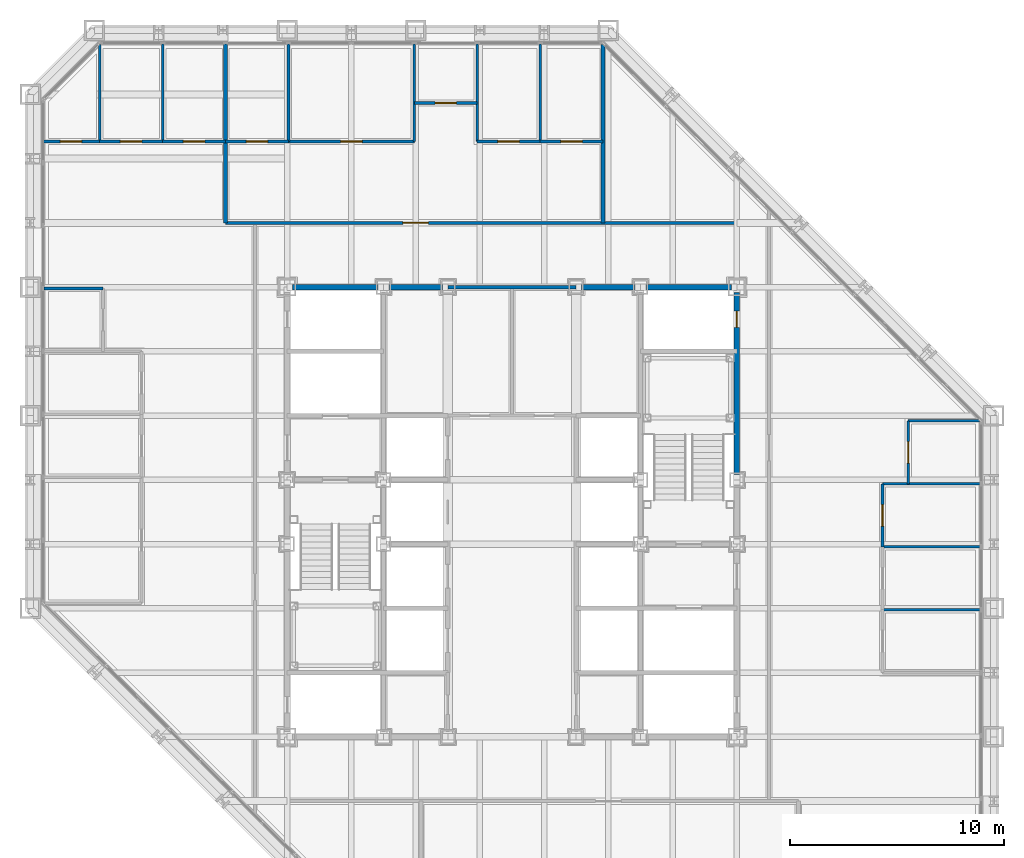
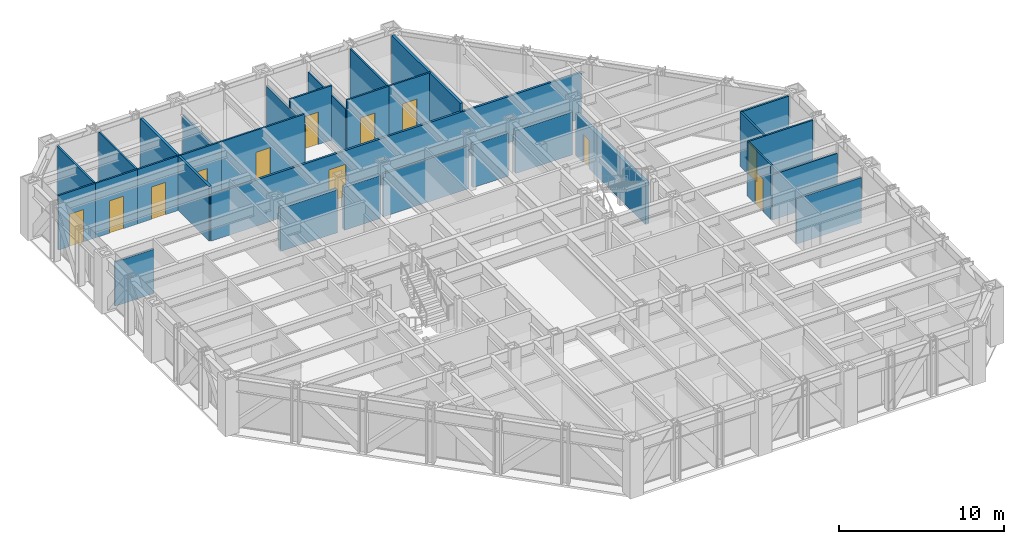
# One storey, part 12 of 16: 30 walls, 12 doors, 12 openings.
"""IFC4 building model written with IfcOpenShell, lengths in metres."""

from ifc_helpers import new_model, si_unit, direction, frame, frame_2d, origin, place, context, subcontext, project, spatial, rectangle, extrude, material, layer, layer_set, type_object, element, fill, save


model = new_model("IFC4")

# Units and contexts
model_context = context("Model", 3, precision=1e-05, world=origin(), true_north=direction((0.0, 1.0)))
body_context = subcontext(model_context, "Body", "Model", "MODEL_VIEW")
ifc_project = project(units=[si_unit("LENGTHUNIT", "METRE"), si_unit("AREAUNIT", "SQUARE_METRE"), si_unit("VOLUMEUNIT", "CUBIC_METRE"), si_unit("PLANEANGLEUNIT", "RADIAN"), si_unit("MASSUNIT", "GRAM", prefix="KILO")], contexts=[model_context])

# Site, building, storey
site_placement = place(None, origin())
site = spatial("IfcSite", under=ifc_project, at=site_placement, CompositionType="ELEMENT")
building_placement = place(site_placement, origin())
building = spatial("IfcBuilding", under=site, at=building_placement, Name="Chuquiago Exchange Tower", CompositionType="ELEMENT")
storey_placement = place(building_placement, frame((0.0, 0.0, 111.0)))
storey = spatial("IfcBuildingStorey", under=building, at=storey_placement, Name="L23", CompositionType="ELEMENT", Elevation=111.0)

# Walls
ifc_material_1 = material(Name="Concrete masonry, fully grouted", Category="masonry")
ifc_layer_1 = layer(ifc_material_1, 0.25)
ifc_layer_set_1 = layer_set([ifc_layer_1], Name="W1 core wall 250")
wall_type_1 = type_object("IfcWallType", Name="W1 core wall 250", PredefinedType="SOLIDWALL", material=ifc_layer_set_1)
wall_1_placement = place(storey_placement, frame((12.25, 33.0, 0.0), z_axis=(0.0, 0.0, 1.0), x_axis=(1.0, 0.0, 0.0)))
element("IfcWall", 1, at=wall_1_placement, inside=storey, type_object=wall_type_1, Name="CW-L23-11-0", PredefinedType="SOLIDWALL", context=body_context, shape_type="SweptSolid", body=[
    extrude(rectangle(XDim=4.0, YDim=0.25, at=frame_2d((2.0, 0.0))), origin(), (0.0, 0.0, 1.0), 3.181396484375),
])
for number, where, z_axis, x_axis, name in (
    (2, (16.75, 33.0, 0.0), (0.0, 0.0, 1.0), (1.0, 0.0, 0.0), "CW-L23-11-1"),
    (3, (25.75, 33.0, 0.0), (0.0, 0.0, 1.0), (1.0, 0.0, 0.0), "CW-L23-12-0"),
):
    element("IfcWall", number, at=place(storey_placement, frame(where, z_axis=z_axis, x_axis=x_axis)), inside=storey, type_object=wall_type_1, Name=name, PredefinedType="SOLIDWALL", context=body_context, shape_type="SweptSolid", body=[
        extrude(rectangle(XDim=2.5, YDim=0.25, at=frame_2d((1.25, 0.0))), origin(), (0.0, 0.0, 1.0), 3.181396484375),
    ])
wall_2_placement = place(storey_placement, frame((28.75, 33.0, 0.0), z_axis=(0.0, 0.0, 1.0), x_axis=(1.0, 0.0, 0.0)))
element("IfcWall", 4, at=wall_2_placement, inside=storey, type_object=wall_type_1, Name="CW-L23-12-1", PredefinedType="SOLIDWALL", context=body_context, shape_type="SweptSolid", body=[
    extrude(rectangle(XDim=4.0, YDim=0.25, at=frame_2d((2.0, 0.0))), origin(), (0.0, 0.0, 1.0), 3.181396484375),
])

# Wall, opening, door
wall_3_placement = place(storey_placement, frame((33.0, 24.25, 0.0), z_axis=(0.0, 0.0, 1.0), x_axis=(0.0, 1.0, 0.0)))
wall_3 = element("IfcWall", 5, at=wall_3_placement, inside=storey, type_object=wall_type_1, Name="CW-L23-25-2", PredefinedType="SOLIDWALL", context=body_context, shape_type="SweptSolid", body=[
    extrude(rectangle(XDim=8.5, YDim=0.25, at=frame_2d((4.25, 0.0))), origin(), (0.0, 0.0, 1.0), 3.11279296875),
])
opening_1_placement = place(wall_3_placement, frame((6.875, 0.0, 0.0)))
opening_1 = element("IfcOpeningElement", 6, at=opening_1_placement, cuts=wall_3, Name="Opening L23-010", PredefinedType="OPENING", context=body_context, shape_type="SweptSolid", body=[
    extrude(rectangle(XDim=0.75, YDim=2.10009765625, at=frame_2d((0.375, 1.050048828125))), frame((0.0, 0.135009765625, 0.0), z_axis=(0.0, -1.0, 0.0), x_axis=(1.0, 0.0, 0.0)), (0.0, 0.0, 1.0), 0.27001953125),
])
ifc_material_2 = material(Name="Steel door, painted", Category="steel")
door_type_1 = type_object("IfcDoorType", Name="D6 riser access door 750x2100", OperationType="SINGLE_SWING_LEFT", PredefinedType="DOOR", material=ifc_material_2)
door_1_placement = place(opening_1_placement, origin())
door_1 = element("IfcDoor", 7, at=door_1_placement, inside=storey, type_object=door_type_1, Name="Riser RE2 door", OperationType="SINGLE_SWING_RIGHT", OverallHeight=2.10009765625, OverallWidth=0.75, PredefinedType="DOOR", context=body_context, shape_type="SweptSolid", body=[
    extrude(rectangle(XDim=0.75, YDim=2.10009765625, at=frame_2d((0.375, 1.050048828125))), frame((0.0, 0.02490234375, 0.0), z_axis=(0.0, -1.0, 0.0), x_axis=(1.0, 0.0, 0.0)), (0.0, 0.0, 1.0), 0.050048828125),
])
fill(opening_1, door_1)

ifc_material_3 = material(Name="Gypsum board on steel studs, acoustic insulation", Category="steel")
ifc_layer_2 = layer(ifc_material_3, 0.14990234375)
ifc_layer_set_2 = layer_set([ifc_layer_2], Name="W11 corridor wall 150")
wall_type_2 = type_object("IfcWallType", Name="W11 corridor wall 150", PredefinedType="PARTITIONING", material=ifc_layer_set_2)
wall_4_placement = place(storey_placement, frame((9.124267578125, 36.0, 0.0), z_axis=(0.0, 0.0, 1.0), x_axis=(1.0, 0.0, 0.0)))
wall_4 = element("IfcWall", 8, at=wall_4_placement, inside=storey, type_object=wall_type_2, Name="PW-L23-CN", PredefinedType="PARTITIONING", context=body_context, shape_type="SweptSolid", body=[
    extrude(rectangle(XDim=25.990234375, YDim=0.14990234375, at=frame_2d((12.9951171875, 0.0))), origin(), (0.0, 0.0, 1.0), 3.427734375),
])
opening_2_placement = place(wall_4_placement, frame((8.275634765625, 0.0, 0.0)))
opening_2 = element("IfcOpeningElement", 9, at=opening_2_placement, cuts=wall_4, Name="Opening L23-043", PredefinedType="OPENING", context=body_context, shape_type="SweptSolid", body=[
    extrude(rectangle(XDim=1.199951171875, YDim=2.39990234375, at=frame_2d((0.60009765625, 1.199951171875))), frame((0.0, 0.0849609375, 0.0), z_axis=(0.0, -1.0, 0.0), x_axis=(1.0, 0.0, 0.0)), (0.0, 0.0, 1.0), 0.169921875),
])
ifc_material_4 = material(Name="Timber door, laminate faced", Category="wood")
door_type_2 = type_object("IfcDoorType", Name="D13 suite entrance door 1200x2400", OperationType="SINGLE_SWING_LEFT", PredefinedType="DOOR", material=ifc_material_4)
door_2_placement = place(opening_2_placement, origin())
door_2 = element("IfcDoor", 10, at=door_2_placement, inside=storey, type_object=door_type_2, Name="North suite entrance door", OperationType="SINGLE_SWING_LEFT", OverallHeight=2.39990234375, OverallWidth=1.199951171875, PredefinedType="DOOR", context=body_context, shape_type="SweptSolid", body=[
    extrude(rectangle(XDim=1.199951171875, YDim=2.39990234375, at=frame_2d((0.60009765625, 1.199951171875))), frame((0.0, 0.02490234375, 0.0), z_axis=(0.0, -1.0, 0.0), x_axis=(1.0, 0.0, 0.0)), (0.0, 0.0, 1.0), 0.050048828125),
])
fill(opening_2, door_2)

# Walls
ifc_material_5 = material(Name="Gypsum board on twin steel studs, acoustic insulation", Category="steel")
ifc_layer_3 = layer(ifc_material_5, 0.175048828125)
ifc_layer_set_3 = layer_set([ifc_layer_3], Name="W12 tenant demising wall 175")
wall_type_3 = type_object("IfcWallType", Name="W12 tenant demising wall 175", PredefinedType="PARTITIONING", material=ifc_layer_set_3)
wall_5_placement = place(storey_placement, frame((9.124267578125, 44.347412109375, 0.0), z_axis=(0.0, 0.0, 1.0), x_axis=(0.0, -1.0, 0.0)))
element("IfcWall", 11, at=wall_5_placement, inside=storey, type_object=wall_type_3, Name="PW-L23-DN00912", PredefinedType="PARTITIONING", context=body_context, shape_type="SweptSolid", body=[
    extrude(rectangle(XDim=8.347412109375, YDim=0.175048828125, at=frame_2d((4.173828125, 0.0))), origin(), (0.0, 0.0, 1.0), 4.0400390625),
])
wall_6_placement = place(storey_placement, frame((26.75146484375, 44.333984375, 0.0), z_axis=(0.0, 0.0, 1.0), x_axis=(0.0, -1.0, 0.0)))
element("IfcWall", 12, at=wall_6_placement, inside=storey, type_object=wall_type_3, Name="PW-L23-DN02675", PredefinedType="PARTITIONING", context=body_context, shape_type="SweptSolid", body=[
    extrude(rectangle(XDim=8.333984375, YDim=0.175048828125, at=frame_2d((4.1669921875, 0.0))), origin(), (0.0, 0.0, 1.0), 4.0400390625),
])
ifc_material_6 = material(Name="Gypsum board on steel studs", Category="steel")
ifc_layer_4 = layer(ifc_material_6, 0.14990234375)
ifc_layer_set_4 = layer_set([ifc_layer_4], Name="W3 core partition 150")
wall_type_4 = type_object("IfcWallType", Name="W3 core partition 150", PredefinedType="PARTITIONING", material=ifc_layer_set_4)
wall_7_placement = place(storey_placement, frame((19.5, 33.0, 0.0), z_axis=(0.0, 0.0, 1.0), x_axis=(1.0, 0.0, 0.0)))
element("IfcWall", 13, at=wall_7_placement, inside=storey, type_object=wall_type_4, Name="CW-L23-TB", PredefinedType="PARTITIONING", context=body_context, shape_type="SweptSolid", body=[
    extrude(rectangle(XDim=6.0, YDim=0.14990234375, at=frame_2d((3.0, 0.0))), origin(), (0.0, 0.0, 1.0), 3.181396484375),
])
ifc_material_7 = material(Name="Gypsum board on steel studs", Category="steel")
ifc_layer_5 = layer(ifc_material_7, 0.1201171875)
ifc_layer_set_5 = layer_set([ifc_layer_5], Name="W4 partition 120")
wall_type_5 = type_object("IfcWallType", Name="W4 partition 120", PredefinedType="PARTITIONING", material=ifc_layer_set_5)
for number, where, z_axis, x_axis, name in (
    (14, (44.347412109375, 17.93798828125, 0.0), (0.0, 0.0, 1.0), (-1.0, 0.0, 0.0), "PW-L23-E01794"),
    (15, (44.347412109375, 20.875732421875, 0.0), (0.0, 0.0, 1.0), (-1.0, 0.0, 0.0), "PW-L23-E02088"),
):
    element("IfcWall", number, at=place(storey_placement, frame(where, z_axis=z_axis, x_axis=x_axis)), inside=storey, type_object=wall_type_5, Name=name, PredefinedType="PARTITIONING", context=body_context, shape_type="SweptSolid", body=[
        extrude(rectangle(XDim=4.54736328125, YDim=0.1201171875, at=frame_2d((2.273681640625, 0.0))), origin(), (0.0, 0.0, 1.0), 3.356689453125),
    ])
wall_8_placement = place(storey_placement, frame((44.347412109375, 23.813720703125, 0.0), z_axis=(0.0, 0.0, 1.0), x_axis=(-1.0, 0.0, 0.0)))
element("IfcWall", 16, at=wall_8_placement, inside=storey, type_object=wall_type_5, Name="PW-L23-E02381", PredefinedType="PARTITIONING", context=body_context, shape_type="SweptSolid", body=[
    extrude(rectangle(XDim=4.54736328125, YDim=0.1201171875, at=frame_2d((2.273681640625, 0.0))), origin(), (0.0, 0.0, 1.0), 4.0400390625),
])
wall_9_placement = place(storey_placement, frame((44.333984375, 26.75146484375, 0.0), z_axis=(0.0, 0.0, 1.0), x_axis=(-1.0, 0.0, 0.0)))
element("IfcWall", 17, at=wall_9_placement, inside=storey, type_object=wall_type_5, Name="PW-L23-E02675", PredefinedType="PARTITIONING", context=body_context, shape_type="SweptSolid", body=[
    extrude(rectangle(XDim=3.333984375, YDim=0.1201171875, at=frame_2d((1.6669921875, 0.0))), origin(), (0.0, 0.0, 1.0), 4.0400390625),
])

# Wall, opening, door
wall_10_placement = place(storey_placement, frame((39.800048828125, 20.875732421875, 0.0), z_axis=(0.0, 0.0, 1.0), x_axis=(0.0, 1.0, 0.0)))
wall_10 = element("IfcWall", 18, at=wall_10_placement, inside=storey, type_object=wall_type_5, Name="PW-L23-EF02088", PredefinedType="PARTITIONING", context=body_context, shape_type="SweptSolid", body=[
    extrude(rectangle(XDim=2.93798828125, YDim=0.1201171875, at=frame_2d((1.468994140625, 0.0))), origin(), (0.0, 0.0, 1.0), 4.0400390625),
])
opening_3_placement = place(wall_10_placement, frame((0.968994140625, 0.0, 0.0)))
opening_3 = element("IfcOpeningElement", 19, at=opening_3_placement, cuts=wall_10, Name="Opening L23-028", PredefinedType="OPENING", context=body_context, shape_type="SweptSolid", body=[
    extrude(rectangle(XDim=1.0, YDim=2.39990234375, at=frame_2d((0.5, 1.199951171875))), frame((0.0, 0.070068359375, 0.0), z_axis=(0.0, -1.0, 0.0), x_axis=(1.0, 0.0, 0.0)), (0.0, 0.0, 1.0), 0.14013671875),
])
ifc_material_8 = material(Name="Timber frame door, full height glazed panel", Category="wood")
door_type_3 = type_object("IfcDoorType", Name="D14 glazed meeting room door 1000x2400", OperationType="SINGLE_SWING_LEFT", PredefinedType="DOOR", material=ifc_material_8)
door_3_placement = place(opening_3_placement, frame((1.0, 0.0, 0.0), z_axis=(0.0, 0.0, 1.0), x_axis=(-1.0, 0.0, 0.0)))
door_3 = element("IfcDoor", 20, at=door_3_placement, inside=storey, type_object=door_type_3, Name="Meeting room door", OperationType="SINGLE_SWING_LEFT", OverallHeight=2.39990234375, OverallWidth=1.0, PredefinedType="DOOR", context=body_context, shape_type="SweptSolid", body=[
    extrude(rectangle(XDim=1.0, YDim=2.39990234375, at=frame_2d((0.5, 1.199951171875))), frame((0.0, 0.02490234375, 0.0), z_axis=(0.0, -1.0, 0.0), x_axis=(1.0, 0.0, 0.0)), (0.0, 0.0, 1.0), 0.050048828125),
])
fill(opening_3, door_3)

wall_11_placement = place(storey_placement, frame((41.0, 23.813720703125, 0.0), z_axis=(0.0, 0.0, 1.0), x_axis=(0.0, 1.0, 0.0)))
wall_11 = element("IfcWall", 21, at=wall_11_placement, inside=storey, type_object=wall_type_5, Name="PW-L23-EF02381", PredefinedType="PARTITIONING", context=body_context, shape_type="SweptSolid", body=[
    extrude(rectangle(XDim=2.937744140625, YDim=0.1201171875, at=frame_2d((1.46875, 0.0))), origin(), (0.0, 0.0, 1.0), 4.0400390625),
])
opening_4_placement = place(wall_11_placement, frame((0.968994140625, 0.0, 0.0)))
opening_4 = element("IfcOpeningElement", 22, at=opening_4_placement, cuts=wall_11, Name="Opening L23-029", PredefinedType="OPENING", context=body_context, shape_type="SweptSolid", body=[
    extrude(rectangle(XDim=1.0, YDim=2.39990234375, at=frame_2d((0.5, 1.199951171875))), frame((0.0, 0.070068359375, 0.0), z_axis=(0.0, -1.0, 0.0), x_axis=(1.0, 0.0, 0.0)), (0.0, 0.0, 1.0), 0.14013671875),
])
ifc_material_9 = material(Name="Timber door, laminate faced", Category="wood")
door_type_4 = type_object("IfcDoorType", Name="D9 room door 1000x2400", OperationType="SINGLE_SWING_LEFT", PredefinedType="DOOR", material=ifc_material_9)
door_4_placement = place(opening_4_placement, frame((1.0, 0.0, 0.0), z_axis=(0.0, 0.0, 1.0), x_axis=(-1.0, 0.0, 0.0)))
door_4 = element("IfcDoor", 23, at=door_4_placement, inside=storey, type_object=door_type_4, Name="Pantry door", OperationType="SINGLE_SWING_RIGHT", OverallHeight=2.39990234375, OverallWidth=1.0, PredefinedType="DOOR", context=body_context, shape_type="SweptSolid", body=[
    extrude(rectangle(XDim=1.0, YDim=2.39990234375, at=frame_2d((0.5, 1.199951171875))), frame((0.0, 0.02490234375, 0.0), z_axis=(0.0, -1.0, 0.0), x_axis=(1.0, 0.0, 0.0)), (0.0, 0.0, 1.0), 0.050048828125),
])
fill(opening_4, door_4)

# Walls
wall_12_placement = place(storey_placement, frame((3.24853515625, 44.333984375, 0.0), z_axis=(0.0, 0.0, 1.0), x_axis=(0.0, -1.0, 0.0)))
element("IfcWall", 24, at=wall_12_placement, inside=storey, type_object=wall_type_5, Name="PW-L23-N00325", PredefinedType="PARTITIONING", context=body_context, shape_type="SweptSolid", body=[
    extrude(rectangle(XDim=4.533935546875, YDim=0.1201171875, at=frame_2d((2.26708984375, 0.0))), origin(), (0.0, 0.0, 1.0), 4.0400390625),
])
wall_13_placement = place(storey_placement, frame((6.186279296875, 44.347412109375, 0.0), z_axis=(0.0, 0.0, 1.0), x_axis=(0.0, -1.0, 0.0)))
element("IfcWall", 25, at=wall_13_placement, inside=storey, type_object=wall_type_5, Name="PW-L23-N00619", PredefinedType="PARTITIONING", context=body_context, shape_type="SweptSolid", body=[
    extrude(rectangle(XDim=4.54736328125, YDim=0.1201171875, at=frame_2d((2.273681640625, 0.0))), origin(), (0.0, 0.0, 1.0), 4.0400390625),
])
wall_14_placement = place(storey_placement, frame((12.06201171875, 44.347412109375, 0.0), z_axis=(0.0, 0.0, 1.0), x_axis=(0.0, -1.0, 0.0)))
element("IfcWall", 26, at=wall_14_placement, inside=storey, type_object=wall_type_5, Name="PW-L23-N01206", PredefinedType="PARTITIONING", context=body_context, shape_type="SweptSolid", body=[
    extrude(rectangle(XDim=4.54736328125, YDim=0.1201171875, at=frame_2d((2.273681640625, 0.0))), origin(), (0.0, 0.0, 1.0), 3.2705078125),
])
for number, where, z_axis, x_axis, name in (
    (27, (17.93798828125, 44.347412109375, 0.0), (0.0, 0.0, 1.0), (0.0, -1.0, 0.0), "PW-L23-N01794"),
    (28, (20.875732421875, 44.347412109375, 0.0), (0.0, 0.0, 1.0), (0.0, -1.0, 0.0), "PW-L23-N02088"),
):
    element("IfcWall", number, at=place(storey_placement, frame(where, z_axis=z_axis, x_axis=x_axis)), inside=storey, type_object=wall_type_5, Name=name, PredefinedType="PARTITIONING", context=body_context, shape_type="SweptSolid", body=[
        extrude(rectangle(XDim=4.54736328125, YDim=0.1201171875, at=frame_2d((2.273681640625, 0.0))), origin(), (0.0, 0.0, 1.0), 3.356689453125),
    ])
wall_15_placement = place(storey_placement, frame((23.813720703125, 44.347412109375, 0.0), z_axis=(0.0, 0.0, 1.0), x_axis=(0.0, -1.0, 0.0)))
element("IfcWall", 29, at=wall_15_placement, inside=storey, type_object=wall_type_5, Name="PW-L23-N02381", PredefinedType="PARTITIONING", context=body_context, shape_type="SweptSolid", body=[
    extrude(rectangle(XDim=4.54736328125, YDim=0.1201171875, at=frame_2d((2.273681640625, 0.0))), origin(), (0.0, 0.0, 1.0), 4.0400390625),
])

# Wall, opening, door
wall_16_placement = place(storey_placement, frame((0.632080078125, 39.800048828125, 0.0), z_axis=(0.0, 0.0, 1.0), x_axis=(1.0, 0.0, 0.0)))
wall_16 = element("IfcWall", 30, at=wall_16_placement, inside=storey, type_object=wall_type_5, Name="PW-L23-NF00060", PredefinedType="PARTITIONING", context=body_context, shape_type="SweptSolid", body=[
    extrude(rectangle(XDim=2.616455078125, YDim=0.1201171875, at=frame_2d((1.30810546875, 0.0))), origin(), (0.0, 0.0, 1.0), 4.0400390625),
])
opening_5_placement = place(wall_16_placement, frame((0.7744140625, 0.0, 0.0)))
opening_5 = element("IfcOpeningElement", 31, at=opening_5_placement, cuts=wall_16, Name="Opening L23-030", PredefinedType="OPENING", context=body_context, shape_type="SweptSolid", body=[
    extrude(rectangle(XDim=1.0, YDim=2.39990234375, at=frame_2d((0.5, 1.199951171875))), frame((0.0, 0.070068359375, 0.0), z_axis=(0.0, -1.0, 0.0), x_axis=(1.0, 0.0, 0.0)), (0.0, 0.0, 1.0), 0.14013671875),
])
door_5_placement = place(opening_5_placement, origin())
door_5 = element("IfcDoor", 32, at=door_5_placement, inside=storey, type_object=door_type_3, Name="Meeting room door", OperationType="SINGLE_SWING_LEFT", OverallHeight=2.39990234375, OverallWidth=1.0, PredefinedType="DOOR", context=body_context, shape_type="SweptSolid", body=[
    extrude(rectangle(XDim=1.0, YDim=2.39990234375, at=frame_2d((0.5, 1.199951171875))), frame((0.0, 0.02490234375, 0.0), z_axis=(0.0, -1.0, 0.0), x_axis=(1.0, 0.0, 0.0)), (0.0, 0.0, 1.0), 0.050048828125),
])
fill(opening_5, door_5)

wall_17_placement = place(storey_placement, frame((3.24853515625, 39.800048828125, 0.0), z_axis=(0.0, 0.0, 1.0), x_axis=(1.0, 0.0, 0.0)))
wall_17 = element("IfcWall", 33, at=wall_17_placement, inside=storey, type_object=wall_type_5, Name="PW-L23-NF00325", PredefinedType="PARTITIONING", context=body_context, shape_type="SweptSolid", body=[
    extrude(rectangle(XDim=2.937744140625, YDim=0.1201171875, at=frame_2d((1.46875, 0.0))), origin(), (0.0, 0.0, 1.0), 4.0400390625),
])
opening_6_placement = place(wall_17_placement, frame((0.968994140625, 0.0, 0.0)))
opening_6 = element("IfcOpeningElement", 34, at=opening_6_placement, cuts=wall_17, Name="Opening L23-031", PredefinedType="OPENING", context=body_context, shape_type="SweptSolid", body=[
    extrude(rectangle(XDim=1.0, YDim=2.39990234375, at=frame_2d((0.5, 1.199951171875))), frame((0.0, 0.070068359375, 0.0), z_axis=(0.0, -1.0, 0.0), x_axis=(1.0, 0.0, 0.0)), (0.0, 0.0, 1.0), 0.14013671875),
])
door_6_placement = place(opening_6_placement, origin())
door_6 = element("IfcDoor", 35, at=door_6_placement, inside=storey, type_object=door_type_4, Name="Office door", OperationType="SINGLE_SWING_LEFT", OverallHeight=2.39990234375, OverallWidth=1.0, PredefinedType="DOOR", context=body_context, shape_type="SweptSolid", body=[
    extrude(rectangle(XDim=1.0, YDim=2.39990234375, at=frame_2d((0.5, 1.199951171875))), frame((0.0, 0.02490234375, 0.0), z_axis=(0.0, -1.0, 0.0), x_axis=(1.0, 0.0, 0.0)), (0.0, 0.0, 1.0), 0.050048828125),
])
fill(opening_6, door_6)

wall_18_placement = place(storey_placement, frame((6.186279296875, 39.800048828125, 0.0), z_axis=(0.0, 0.0, 1.0), x_axis=(1.0, 0.0, 0.0)))
wall_18 = element("IfcWall", 36, at=wall_18_placement, inside=storey, type_object=wall_type_5, Name="PW-L23-NF00619", PredefinedType="PARTITIONING", context=body_context, shape_type="SweptSolid", body=[
    extrude(rectangle(XDim=2.93798828125, YDim=0.1201171875, at=frame_2d((1.468994140625, 0.0))), origin(), (0.0, 0.0, 1.0), 4.0400390625),
])
opening_7_placement = place(wall_18_placement, frame((0.968994140625, 0.0, 0.0)))
opening_7 = element("IfcOpeningElement", 37, at=opening_7_placement, cuts=wall_18, Name="Opening L23-032", PredefinedType="OPENING", context=body_context, shape_type="SweptSolid", body=[
    extrude(rectangle(XDim=1.0, YDim=2.39990234375, at=frame_2d((0.5, 1.199951171875))), frame((0.0, 0.070068359375, 0.0), z_axis=(0.0, -1.0, 0.0), x_axis=(1.0, 0.0, 0.0)), (0.0, 0.0, 1.0), 0.14013671875),
])
door_7_placement = place(opening_7_placement, origin())
door_7 = element("IfcDoor", 38, at=door_7_placement, inside=storey, type_object=door_type_4, Name="Office door", OperationType="SINGLE_SWING_RIGHT", OverallHeight=2.39990234375, OverallWidth=1.0, PredefinedType="DOOR", context=body_context, shape_type="SweptSolid", body=[
    extrude(rectangle(XDim=1.0, YDim=2.39990234375, at=frame_2d((0.5, 1.199951171875))), frame((0.0, 0.02490234375, 0.0), z_axis=(0.0, -1.0, 0.0), x_axis=(1.0, 0.0, 0.0)), (0.0, 0.0, 1.0), 0.050048828125),
])
fill(opening_7, door_7)

wall_19_placement = place(storey_placement, frame((9.124267578125, 39.800048828125, 0.0), z_axis=(0.0, 0.0, 1.0), x_axis=(1.0, 0.0, 0.0)))
wall_19 = element("IfcWall", 39, at=wall_19_placement, inside=storey, type_object=wall_type_5, Name="PW-L23-NF00912", PredefinedType="PARTITIONING", context=body_context, shape_type="SweptSolid", body=[
    extrude(rectangle(XDim=2.937744140625, YDim=0.1201171875, at=frame_2d((1.46875, 0.0))), origin(), (0.0, 0.0, 1.0), 4.0400390625),
])
opening_8_placement = place(wall_19_placement, frame((0.968994140625, 0.0, 0.0)))
opening_8 = element("IfcOpeningElement", 40, at=opening_8_placement, cuts=wall_19, Name="Opening L23-033", PredefinedType="OPENING", context=body_context, shape_type="SweptSolid", body=[
    extrude(rectangle(XDim=1.0, YDim=2.39990234375, at=frame_2d((0.5, 1.199951171875))), frame((0.0, 0.070068359375, 0.0), z_axis=(0.0, -1.0, 0.0), x_axis=(1.0, 0.0, 0.0)), (0.0, 0.0, 1.0), 0.14013671875),
])
door_8_placement = place(opening_8_placement, origin())
door_8 = element("IfcDoor", 41, at=door_8_placement, inside=storey, type_object=door_type_4, Name="Office door", OperationType="SINGLE_SWING_LEFT", OverallHeight=2.39990234375, OverallWidth=1.0, PredefinedType="DOOR", context=body_context, shape_type="SweptSolid", body=[
    extrude(rectangle(XDim=1.0, YDim=2.39990234375, at=frame_2d((0.5, 1.199951171875))), frame((0.0, 0.02490234375, 0.0), z_axis=(0.0, -1.0, 0.0), x_axis=(1.0, 0.0, 0.0)), (0.0, 0.0, 1.0), 0.050048828125),
])
fill(opening_8, door_8)

wall_20_placement = place(storey_placement, frame((12.06201171875, 39.800048828125, 0.0), z_axis=(0.0, 0.0, 1.0), x_axis=(1.0, 0.0, 0.0)))
wall_20 = element("IfcWall", 42, at=wall_20_placement, inside=storey, type_object=wall_type_5, Name="PW-L23-NF01206", PredefinedType="PARTITIONING", context=body_context, shape_type="SweptSolid", body=[
    extrude(rectangle(XDim=5.8759765625, YDim=0.1201171875, at=frame_2d((2.93798828125, 0.0))), origin(), (0.0, 0.0, 1.0), 4.0400390625),
])
opening_9_placement = place(wall_20_placement, frame((2.43798828125, 0.0, 0.0)))
opening_9 = element("IfcOpeningElement", 43, at=opening_9_placement, cuts=wall_20, Name="Opening L23-034", PredefinedType="OPENING", context=body_context, shape_type="SweptSolid", body=[
    extrude(rectangle(XDim=1.0, YDim=2.39990234375, at=frame_2d((0.5, 1.199951171875))), frame((0.0, 0.070068359375, 0.0), z_axis=(0.0, -1.0, 0.0), x_axis=(1.0, 0.0, 0.0)), (0.0, 0.0, 1.0), 0.14013671875),
])
door_9_placement = place(opening_9_placement, origin())
door_9 = element("IfcDoor", 44, at=door_9_placement, inside=storey, type_object=door_type_3, Name="Meeting room door", OperationType="SINGLE_SWING_LEFT", OverallHeight=2.39990234375, OverallWidth=1.0, PredefinedType="DOOR", context=body_context, shape_type="SweptSolid", body=[
    extrude(rectangle(XDim=1.0, YDim=2.39990234375, at=frame_2d((0.5, 1.199951171875))), frame((0.0, 0.02490234375, 0.0), z_axis=(0.0, -1.0, 0.0), x_axis=(1.0, 0.0, 0.0)), (0.0, 0.0, 1.0), 0.050048828125),
])
fill(opening_9, door_9)

wall_21_placement = place(storey_placement, frame((17.93798828125, 41.60009765625, 0.0), z_axis=(0.0, 0.0, 1.0), x_axis=(1.0, 0.0, 0.0)))
wall_21 = element("IfcWall", 45, at=wall_21_placement, inside=storey, type_object=wall_type_5, Name="PW-L23-NF01794", PredefinedType="PARTITIONING", context=body_context, shape_type="SweptSolid", body=[
    extrude(rectangle(XDim=2.937744140625, YDim=0.1201171875, at=frame_2d((1.46875, 0.0))), origin(), (0.0, 0.0, 1.0), 4.0400390625),
])
opening_10_placement = place(wall_21_placement, frame((0.968994140625, 0.0, 0.0)))
opening_10 = element("IfcOpeningElement", 46, at=opening_10_placement, cuts=wall_21, Name="Opening L23-035", PredefinedType="OPENING", context=body_context, shape_type="SweptSolid", body=[
    extrude(rectangle(XDim=1.0, YDim=2.39990234375, at=frame_2d((0.5, 1.199951171875))), frame((0.0, 0.070068359375, 0.0), z_axis=(0.0, -1.0, 0.0), x_axis=(1.0, 0.0, 0.0)), (0.0, 0.0, 1.0), 0.14013671875),
])
door_10_placement = place(opening_10_placement, origin())
door_10 = element("IfcDoor", 47, at=door_10_placement, inside=storey, type_object=door_type_3, Name="Focus room door", OperationType="SINGLE_SWING_RIGHT", OverallHeight=2.39990234375, OverallWidth=1.0, PredefinedType="DOOR", context=body_context, shape_type="SweptSolid", body=[
    extrude(rectangle(XDim=1.0, YDim=2.39990234375, at=frame_2d((0.5, 1.199951171875))), frame((0.0, 0.02490234375, 0.0), z_axis=(0.0, -1.0, 0.0), x_axis=(1.0, 0.0, 0.0)), (0.0, 0.0, 1.0), 0.050048828125),
])
fill(opening_10, door_10)

wall_22_placement = place(storey_placement, frame((20.875732421875, 39.800048828125, 0.0), z_axis=(0.0, 0.0, 1.0), x_axis=(1.0, 0.0, 0.0)))
wall_22 = element("IfcWall", 48, at=wall_22_placement, inside=storey, type_object=wall_type_5, Name="PW-L23-NF02088", PredefinedType="PARTITIONING", context=body_context, shape_type="SweptSolid", body=[
    extrude(rectangle(XDim=2.93798828125, YDim=0.1201171875, at=frame_2d((1.468994140625, 0.0))), origin(), (0.0, 0.0, 1.0), 4.0400390625),
])
opening_11_placement = place(wall_22_placement, frame((0.968994140625, 0.0, 0.0)))
opening_11 = element("IfcOpeningElement", 49, at=opening_11_placement, cuts=wall_22, Name="Opening L23-036", PredefinedType="OPENING", context=body_context, shape_type="SweptSolid", body=[
    extrude(rectangle(XDim=1.0, YDim=2.39990234375, at=frame_2d((0.5, 1.199951171875))), frame((0.0, 0.070068359375, 0.0), z_axis=(0.0, -1.0, 0.0), x_axis=(1.0, 0.0, 0.0)), (0.0, 0.0, 1.0), 0.14013671875),
])
door_11_placement = place(opening_11_placement, origin())
door_11 = element("IfcDoor", 50, at=door_11_placement, inside=storey, type_object=door_type_4, Name="Office door", OperationType="SINGLE_SWING_RIGHT", OverallHeight=2.39990234375, OverallWidth=1.0, PredefinedType="DOOR", context=body_context, shape_type="SweptSolid", body=[
    extrude(rectangle(XDim=1.0, YDim=2.39990234375, at=frame_2d((0.5, 1.199951171875))), frame((0.0, 0.02490234375, 0.0), z_axis=(0.0, -1.0, 0.0), x_axis=(1.0, 0.0, 0.0)), (0.0, 0.0, 1.0), 0.050048828125),
])
fill(opening_11, door_11)

wall_23_placement = place(storey_placement, frame((23.813720703125, 39.800048828125, 0.0), z_axis=(0.0, 0.0, 1.0), x_axis=(1.0, 0.0, 0.0)))
wall_23 = element("IfcWall", 51, at=wall_23_placement, inside=storey, type_object=wall_type_5, Name="PW-L23-NF02381", PredefinedType="PARTITIONING", context=body_context, shape_type="SweptSolid", body=[
    extrude(rectangle(XDim=2.937744140625, YDim=0.1201171875, at=frame_2d((1.46875, 0.0))), origin(), (0.0, 0.0, 1.0), 4.0400390625),
])
opening_12_placement = place(wall_23_placement, frame((0.968994140625, 0.0, 0.0)))
opening_12 = element("IfcOpeningElement", 52, at=opening_12_placement, cuts=wall_23, Name="Opening L23-037", PredefinedType="OPENING", context=body_context, shape_type="SweptSolid", body=[
    extrude(rectangle(XDim=1.0, YDim=2.39990234375, at=frame_2d((0.5, 1.199951171875))), frame((0.0, 0.070068359375, 0.0), z_axis=(0.0, -1.0, 0.0), x_axis=(1.0, 0.0, 0.0)), (0.0, 0.0, 1.0), 0.14013671875),
])
door_12_placement = place(opening_12_placement, origin())
door_12 = element("IfcDoor", 53, at=door_12_placement, inside=storey, type_object=door_type_4, Name="Office door", OperationType="SINGLE_SWING_RIGHT", OverallHeight=2.39990234375, OverallWidth=1.0, PredefinedType="DOOR", context=body_context, shape_type="SweptSolid", body=[
    extrude(rectangle(XDim=1.0, YDim=2.39990234375, at=frame_2d((0.5, 1.199951171875))), frame((0.0, 0.02490234375, 0.0), z_axis=(0.0, -1.0, 0.0), x_axis=(1.0, 0.0, 0.0)), (0.0, 0.0, 1.0), 0.050048828125),
])
fill(opening_12, door_12)

# Wall
wall_24_placement = place(storey_placement, frame((0.652587890625, 32.93798828125, 0.0), z_axis=(0.0, 0.0, 1.0), x_axis=(1.0, 0.0, 0.0)))
element("IfcWall", 54, at=wall_24_placement, inside=storey, type_object=wall_type_5, Name="PW-L23-W03294", PredefinedType="PARTITIONING", context=body_context, shape_type="SweptSolid", body=[
    extrude(rectangle(XDim=2.747314453125, YDim=0.1201171875, at=frame_2d((1.37353515625, 0.0))), origin(), (0.0, 0.0, 1.0), 3.2705078125),
])

save(model, "model.ifc")
